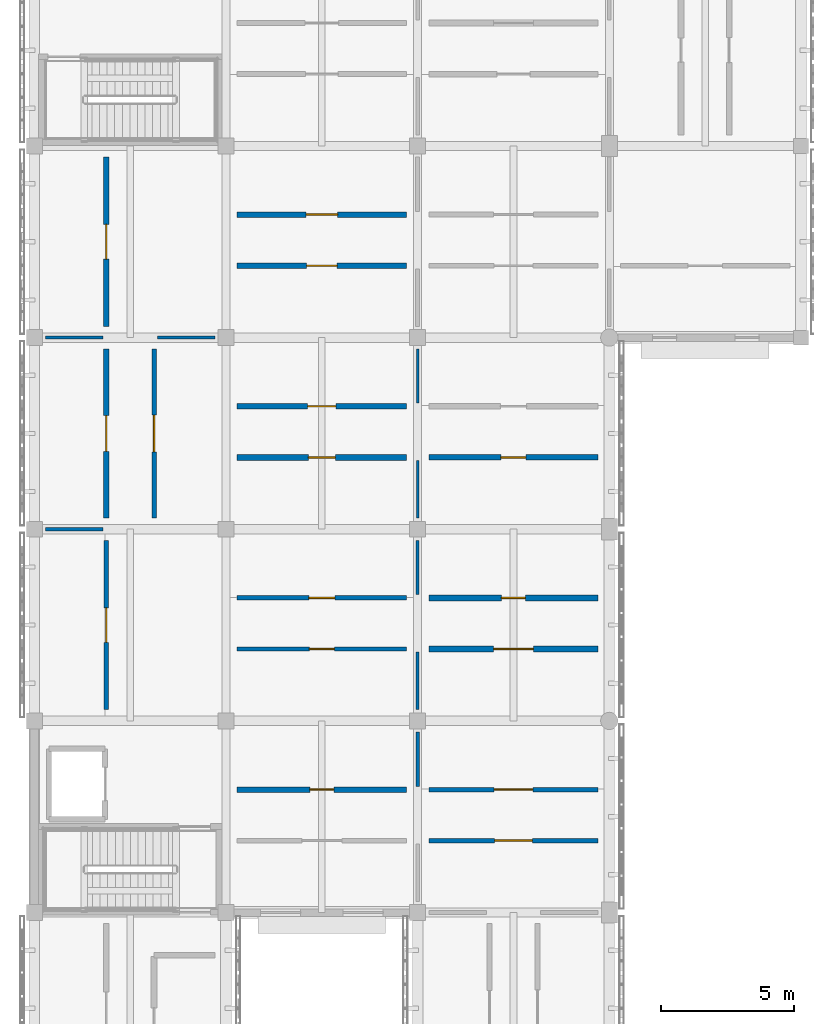
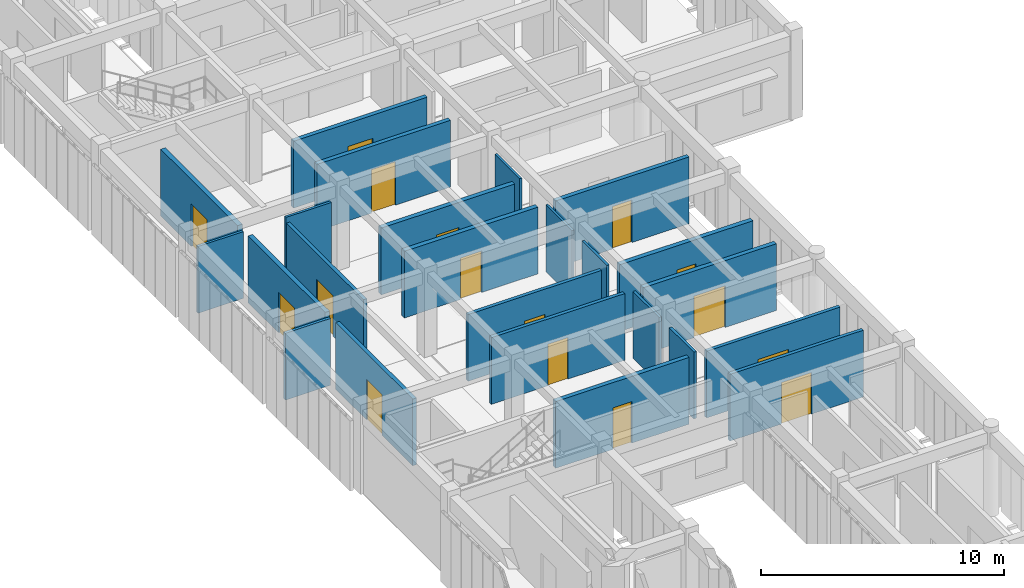
# One storey, part 121 of 171: 24 walls, 16 doors, 16 openings.
"""IFC4 building model written with IfcOpenShell, lengths in metres."""

from ifc_helpers import new_model, si_unit, direction, frame, frame_2d, origin, place, context, subcontext, project, spatial, rectangle, extrude, material, layer, layer_set, type_object, element, fill, save


model = new_model("IFC4")

# Units and contexts
model_context = context("Model", 3, precision=1e-05, world=origin(), true_north=direction((0.0, 1.0)))
body_context = subcontext(model_context, "Body", "Model", "MODEL_VIEW")
ifc_project = project(units=[si_unit("LENGTHUNIT", "METRE"), si_unit("AREAUNIT", "SQUARE_METRE"), si_unit("VOLUMEUNIT", "CUBIC_METRE"), si_unit("PLANEANGLEUNIT", "RADIAN"), si_unit("MASSUNIT", "GRAM", prefix="KILO")], contexts=[model_context])

# Site, building, storey
site_placement = place(None, origin())
site = spatial("IfcSite", under=ifc_project, at=site_placement, CompositionType="ELEMENT")
building_placement = place(site_placement, origin())
building = spatial("IfcBuilding", under=site, at=building_placement, Name="Aldebral Square Health Centre", CompositionType="ELEMENT")
storey_placement = place(building_placement, frame((0.0, 0.0, 4.5)))
storey = spatial("IfcBuildingStorey", under=building, at=storey_placement, Name="L01", CompositionType="ELEMENT", Elevation=4.5)

# Wall, opening, door
ifc_material_1 = material(Name="Concrete C35/45 compartment wall", Category="concrete")
ifc_layer_1 = layer(ifc_material_1, 0.199951171875, Name="Concrete C35/45 compartment wall", Category="concrete")
ifc_layer_set_1 = layer_set([ifc_layer_1], Name="Concrete C35/45 compartment wall")
wall_type_1 = type_object("IfcWallType", Name="IW-CMP-200", PredefinedType="SOLIDWALL", material=ifc_layer_set_1)
wall_1_placement = place(storey_placement, frame((7.6201171875, 53.10009765625, 0.0), z_axis=(0.0, 0.0, 1.0), x_axis=(1.0, 0.0, 0.0)))
wall_1 = element("IfcWall", 1, at=wall_1_placement, inside=storey, type_object=wall_type_1, Name="L01 General Consulting Room 2.8S corridor wall", PredefinedType="SOLIDWALL", context=body_context, shape_type="SweptSolid", body=[
    extrude(rectangle(XDim=6.35986328125, YDim=0.199951171875, at=frame_2d((3.179931640625, 0.0))), origin(), (0.0, 0.0, 1.0), 3.360107421875),
])
opening_1_placement = place(wall_1_placement, frame((2.610107421875, 0.0, 0.0)))
opening_1 = element("IfcOpeningElement", 2, at=opening_1_placement, cuts=wall_1, Name="Opening D-0276", PredefinedType="OPENING", context=body_context, shape_type="SweptSolid", body=[
    extrude(rectangle(XDim=1.139892578125, YDim=2.18994140625, at=frame_2d((0.56982421875, 1.094970703125))), frame((0.0, 0.10986328125, 0.0), z_axis=(0.0, -1.0, 0.0), x_axis=(1.0, 0.0, 0.0)), (0.0, 0.0, 1.0), 0.219970703125),
])
ifc_material_2 = material(Name="Clinical suite fire door")
door_type_1 = type_object("IfcDoorType", Name="ID-EXD-54", OperationType="NOTDEFINED", PredefinedType="DOOR", material=ifc_material_2)
door_1_placement = place(opening_1_placement, origin())
door_1 = element("IfcDoor", 3, at=door_1_placement, inside=storey, type_object=door_type_1, Name="L01 General Consulting Room 2.8S door", OperationType="SINGLE_SWING_LEFT", OverallHeight=2.18994140625, OverallWidth=1.139892578125, PredefinedType="DOOR", context=body_context, shape_type="SweptSolid", body=[
    extrude(rectangle(XDim=1.139892578125, YDim=2.18994140625, at=frame_2d((0.56982421875, 1.094970703125))), frame((0.0, 0.02490234375, 0.0), z_axis=(0.0, -1.0, 0.0), x_axis=(1.0, 0.0, 0.0)), (0.0, 0.0, 1.0), 0.050048828125),
])
fill(opening_1, door_1)

wall_2_placement = place(storey_placement, frame((7.6201171875, 55.02001953125, 0.0), z_axis=(0.0, 0.0, 1.0), x_axis=(1.0, 0.0, 0.0)))
wall_2 = element("IfcWall", 4, at=wall_2_placement, inside=storey, type_object=wall_type_1, Name="L01 Internal Medicine Clinic 2.8N corridor wall", PredefinedType="SOLIDWALL", context=body_context, shape_type="SweptSolid", body=[
    extrude(rectangle(XDim=6.35986328125, YDim=0.199951171875, at=frame_2d((3.179931640625, 0.0))), origin(), (0.0, 0.0, 1.0), 3.360107421875),
])
opening_2_placement = place(wall_2_placement, frame((2.590087890625, 0.0, 0.0)))
opening_2 = element("IfcOpeningElement", 5, at=opening_2_placement, cuts=wall_2, Name="Opening D-0277", PredefinedType="OPENING", context=body_context, shape_type="SweptSolid", body=[
    extrude(rectangle(XDim=1.179931640625, YDim=2.18994140625, at=frame_2d((0.58984375, 1.094970703125))), frame((0.0, 0.10986328125, 0.0), z_axis=(0.0, -1.0, 0.0), x_axis=(1.0, 0.0, 0.0)), (0.0, 0.0, 1.0), 0.219970703125),
])
door_type_2 = type_object("IfcDoorType", Name="ID-EXD-55", OperationType="NOTDEFINED", PredefinedType="DOOR", material=ifc_material_2)
door_2_placement = place(opening_2_placement, origin())
door_2 = element("IfcDoor", 6, at=door_2_placement, inside=storey, type_object=door_type_2, Name="L01 Internal Medicine Clinic 2.8N door", OperationType="SINGLE_SWING_RIGHT", OverallHeight=2.18994140625, OverallWidth=1.179931640625, PredefinedType="DOOR", context=body_context, shape_type="SweptSolid", body=[
    extrude(rectangle(XDim=1.179931640625, YDim=2.18994140625, at=frame_2d((0.58984375, 1.094970703125))), frame((0.0, 0.02490234375, 0.0), z_axis=(0.0, -1.0, 0.0), x_axis=(1.0, 0.0, 0.0)), (0.0, 0.0, 1.0), 0.050048828125),
])
fill(opening_2, door_2)

wall_3_placement = place(storey_placement, frame((14.820068359375, 45.89990234375, 0.0), z_axis=(0.0, 0.0, 1.0), x_axis=(1.0, 0.0, 0.0)))
wall_3 = element("IfcWall", 7, at=wall_3_placement, inside=storey, type_object=wall_type_1, Name="L01 Health Education Seminar 3.7S corridor wall", PredefinedType="SOLIDWALL", context=body_context, shape_type="SweptSolid", body=[
    extrude(rectangle(XDim=6.35986328125, YDim=0.199951171875, at=frame_2d((3.179931640625, 0.0))), origin(), (0.0, 0.0, 1.0), 3.360107421875),
])
opening_3_placement = place(wall_3_placement, frame((2.7099609375, 0.0, 0.0)))
opening_3 = element("IfcOpeningElement", 8, at=opening_3_placement, cuts=wall_3, Name="Opening D-0393", PredefinedType="OPENING", context=body_context, shape_type="SweptSolid", body=[
    extrude(rectangle(XDim=0.93994140625, YDim=2.139892578125, at=frame_2d((0.469970703125, 1.06982421875))), frame((0.0, 0.10986328125, 0.0), z_axis=(0.0, -1.0, 0.0), x_axis=(1.0, 0.0, 0.0)), (0.0, 0.0, 1.0), 0.219970703125),
])
door_type_3 = type_object("IfcDoorType", Name="ID-EXD-33", OperationType="NOTDEFINED", PredefinedType="DOOR", material=ifc_material_2)
door_3_placement = place(opening_3_placement, origin())
door_3 = element("IfcDoor", 9, at=door_3_placement, inside=storey, type_object=door_type_3, Name="L01 Health Education Seminar 3.7S door", OperationType="SINGLE_SWING_RIGHT", OverallHeight=2.139892578125, OverallWidth=0.93994140625, PredefinedType="DOOR", context=body_context, shape_type="SweptSolid", body=[
    extrude(rectangle(XDim=0.93994140625, YDim=2.139892578125, at=frame_2d((0.469970703125, 1.06982421875))), frame((0.0, 0.02490234375, 0.0), z_axis=(0.0, -1.0, 0.0), x_axis=(1.0, 0.0, 0.0)), (0.0, 0.0, 1.0), 0.050048828125),
])
fill(opening_3, door_3)

ifc_layer_2 = layer(ifc_material_1, 0.219970703125, Name="Concrete C35/45 compartment wall", Category="concrete")
ifc_layer_set_2 = layer_set([ifc_layer_2], Name="Concrete C35/45 compartment wall")
wall_type_2 = type_object("IfcWallType", Name="IW-CMP-220", PredefinedType="SOLIDWALL", material=ifc_layer_set_2)
wall_4_placement = place(storey_placement, frame((2.699951171875, 50.820068359375, 0.0), z_axis=(0.0, 0.0, 1.0), x_axis=(0.0, 1.0, 0.0)))
wall_4 = element("IfcWall", 10, at=wall_4_placement, inside=storey, type_object=wall_type_2, Name="L01 General Consulting Room 1.8W corridor wall", PredefinedType="SOLIDWALL", context=body_context, shape_type="SweptSolid", body=[
    extrude(rectangle(XDim=6.35986328125, YDim=0.219970703125, at=frame_2d((3.179931640625, 0.0))), origin(), (0.0, 0.0, 1.0), 3.360107421875),
])
opening_4_placement = place(wall_4_placement, frame((2.530029296875, 0.0, 0.0)))
opening_4 = element("IfcOpeningElement", 11, at=opening_4_placement, cuts=wall_4, Name="Opening D-0264", PredefinedType="OPENING", context=body_context, shape_type="SweptSolid", body=[
    extrude(rectangle(XDim=1.300048828125, YDim=2.139892578125, at=frame_2d((0.64990234375, 1.06982421875))), frame((0.0, 0.1201171875, 0.0), z_axis=(0.0, -1.0, 0.0), x_axis=(1.0, 0.0, 0.0)), (0.0, 0.0, 1.0), 0.239990234375),
])
door_type_4 = type_object("IfcDoorType", Name="ID-EXD-42", OperationType="NOTDEFINED", PredefinedType="DOOR", material=ifc_material_2)
door_4_placement = place(opening_4_placement, origin())
door_4 = element("IfcDoor", 12, at=door_4_placement, inside=storey, type_object=door_type_4, Name="L01 General Consulting Room 1.8W door", OperationType="SINGLE_SWING_LEFT", OverallHeight=2.139892578125, OverallWidth=1.300048828125, PredefinedType="DOOR", context=body_context, shape_type="SweptSolid", body=[
    extrude(rectangle(XDim=1.300048828125, YDim=2.139892578125, at=frame_2d((0.64990234375, 1.06982421875))), frame((0.0, 0.02490234375, 0.0), z_axis=(0.0, -1.0, 0.0), x_axis=(1.0, 0.0, 0.0)), (0.0, 0.0, 1.0), 0.050048828125),
])
fill(opening_4, door_4)

wall_5_placement = place(storey_placement, frame((7.6201171875, 45.89990234375, 0.0), z_axis=(0.0, 0.0, 1.0), x_axis=(1.0, 0.0, 0.0)))
wall_5 = element("IfcWall", 13, at=wall_5_placement, inside=storey, type_object=wall_type_2, Name="L01 Nutrition Studio 2.7S corridor wall", PredefinedType="SOLIDWALL", context=body_context, shape_type="SweptSolid", body=[
    extrude(rectangle(XDim=6.35986328125, YDim=0.219970703125, at=frame_2d((3.179931640625, 0.0))), origin(), (0.0, 0.0, 1.0), 3.360107421875),
])
opening_5_placement = place(wall_5_placement, frame((2.669921875, 0.0, 0.0)))
opening_5 = element("IfcOpeningElement", 14, at=opening_5_placement, cuts=wall_5, Name="Opening D-0379", PredefinedType="OPENING", context=body_context, shape_type="SweptSolid", body=[
    extrude(rectangle(XDim=1.02001953125, YDim=2.090087890625, at=frame_2d((0.510009765625, 1.044921875))), frame((0.0, 0.1201171875, 0.0), z_axis=(0.0, -1.0, 0.0), x_axis=(1.0, 0.0, 0.0)), (0.0, 0.0, 1.0), 0.239990234375),
])
door_type_5 = type_object("IfcDoorType", Name="ID-EXD-19", OperationType="NOTDEFINED", PredefinedType="DOOR", material=ifc_material_2)
door_5_placement = place(opening_5_placement, origin())
door_5 = element("IfcDoor", 15, at=door_5_placement, inside=storey, type_object=door_type_5, Name="L01 Nutrition Studio 2.7S door", OperationType="SINGLE_SWING_RIGHT", OverallHeight=2.090087890625, OverallWidth=1.02001953125, PredefinedType="DOOR", context=body_context, shape_type="SweptSolid", body=[
    extrude(rectangle(XDim=1.02001953125, YDim=2.090087890625, at=frame_2d((0.510009765625, 1.044921875))), frame((0.0, 0.02490234375, 0.0), z_axis=(0.0, -1.0, 0.0), x_axis=(1.0, 0.0, 0.0)), (0.0, 0.0, 1.0), 0.050048828125),
])
fill(opening_5, door_5)

wall_6_placement = place(storey_placement, frame((7.6201171875, 47.820068359375, 0.0), z_axis=(0.0, 0.0, 1.0), x_axis=(1.0, 0.0, 0.0)))
wall_6 = element("IfcWall", 16, at=wall_6_placement, inside=storey, type_object=wall_type_2, Name="L01 Community Health Library 2.7N corridor wall", PredefinedType="SOLIDWALL", context=body_context, shape_type="SweptSolid", body=[
    extrude(rectangle(XDim=6.35986328125, YDim=0.219970703125, at=frame_2d((3.179931640625, 0.0))), origin(), (0.0, 0.0, 1.0), 3.360107421875),
])
opening_6_placement = place(wall_6_placement, frame((2.64990234375, 0.0, 0.0)))
opening_6 = element("IfcOpeningElement", 17, at=opening_6_placement, cuts=wall_6, Name="Opening D-0380", PredefinedType="OPENING", context=body_context, shape_type="SweptSolid", body=[
    extrude(rectangle(XDim=1.06005859375, YDim=2.090087890625, at=frame_2d((0.530029296875, 1.044921875))), frame((0.0, 0.1201171875, 0.0), z_axis=(0.0, -1.0, 0.0), x_axis=(1.0, 0.0, 0.0)), (0.0, 0.0, 1.0), 0.239990234375),
])
door_type_6 = type_object("IfcDoorType", Name="ID-EXD-20", OperationType="NOTDEFINED", PredefinedType="DOOR", material=ifc_material_2)
door_6_placement = place(opening_6_placement, origin())
door_6 = element("IfcDoor", 18, at=door_6_placement, inside=storey, type_object=door_type_6, Name="L01 Community Health Library 2.7N door", OperationType="SINGLE_SWING_LEFT", OverallHeight=2.090087890625, OverallWidth=1.06005859375, PredefinedType="DOOR", context=body_context, shape_type="SweptSolid", body=[
    extrude(rectangle(XDim=1.06005859375, YDim=2.090087890625, at=frame_2d((0.530029296875, 1.044921875))), frame((0.0, 0.02490234375, 0.0), z_axis=(0.0, -1.0, 0.0), x_axis=(1.0, 0.0, 0.0)), (0.0, 0.0, 1.0), 0.050048828125),
])
fill(opening_6, door_6)

wall_7_placement = place(storey_placement, frame((14.820068359375, 40.6201171875, 0.0), z_axis=(0.0, 0.0, 1.0), x_axis=(1.0, 0.0, 0.0)))
wall_7 = element("IfcWall", 19, at=wall_7_placement, inside=storey, type_object=wall_type_2, Name="L01 Community Room 3.6N corridor wall", PredefinedType="SOLIDWALL", context=body_context, shape_type="SweptSolid", body=[
    extrude(rectangle(XDim=6.35986328125, YDim=0.219970703125, at=frame_2d((3.179931640625, 0.0))), origin(), (0.0, 0.0, 1.0), 3.360107421875),
])
opening_7_placement = place(wall_7_placement, frame((2.72998046875, 0.0, 0.0)))
opening_7 = element("IfcOpeningElement", 20, at=opening_7_placement, cuts=wall_7, Name="Opening D-0392", PredefinedType="OPENING", context=body_context, shape_type="SweptSolid", body=[
    extrude(rectangle(XDim=0.89990234375, YDim=2.139892578125, at=frame_2d((0.449951171875, 1.06982421875))), frame((0.0, 0.1201171875, 0.0), z_axis=(0.0, -1.0, 0.0), x_axis=(1.0, 0.0, 0.0)), (0.0, 0.0, 1.0), 0.239990234375),
])
door_type_7 = type_object("IfcDoorType", Name="ID-EXD-32", OperationType="NOTDEFINED", PredefinedType="DOOR", material=ifc_material_2)
door_7_placement = place(opening_7_placement, origin())
door_7 = element("IfcDoor", 21, at=door_7_placement, inside=storey, type_object=door_type_7, Name="L01 Community Room 3.6N door", OperationType="SINGLE_SWING_LEFT", OverallHeight=2.139892578125, OverallWidth=0.89990234375, PredefinedType="DOOR", context=body_context, shape_type="SweptSolid", body=[
    extrude(rectangle(XDim=0.89990234375, YDim=2.139892578125, at=frame_2d((0.449951171875, 1.06982421875))), frame((0.0, 0.02490234375, 0.0), z_axis=(0.0, -1.0, 0.0), x_axis=(1.0, 0.0, 0.0)), (0.0, 0.0, 1.0), 0.050048828125),
])
fill(opening_7, door_7)

ifc_material_3 = material(Name="Fire-rated acoustic gypsum partition")
ifc_layer_3 = layer(ifc_material_3, 0.1650390625, Name="Fire-rated acoustic gypsum partition")
ifc_layer_set_3 = layer_set([ifc_layer_3], Name="Fire-rated acoustic gypsum partition")
wall_type_3 = type_object("IfcWallType", Name="IW-COR-165", PredefinedType="PARTITIONING", material=ifc_layer_set_3)
wall_8_placement = place(storey_placement, frame((4.5, 43.6201171875, 0.0), z_axis=(0.0, 0.0, 1.0), x_axis=(0.0, 1.0, 0.0)))
wall_8 = element("IfcWall", 22, at=wall_8_placement, inside=storey, type_object=wall_type_3, Name="L01 Community Room 1.7E corridor wall", PredefinedType="PARTITIONING", context=body_context, shape_type="SweptSolid", body=[
    extrude(rectangle(XDim=6.35986328125, YDim=0.1650390625, at=frame_2d((3.179931640625, 0.0))), origin(), (0.0, 0.0, 1.0), 3.360107421875),
])
opening_8_placement = place(wall_8_placement, frame((2.489990234375, 0.0, 0.0)))
opening_8 = element("IfcOpeningElement", 23, at=opening_8_placement, cuts=wall_8, Name="Opening D-0372", PredefinedType="OPENING", context=body_context, shape_type="SweptSolid", body=[
    extrude(rectangle(XDim=1.3798828125, YDim=2.0400390625, at=frame_2d((0.68994140625, 1.02001953125))), frame((0.0, 0.092529296875, 0.0), z_axis=(0.0, -1.0, 0.0), x_axis=(1.0, 0.0, 0.0)), (0.0, 0.0, 1.0), 0.18505859375),
])
door_type_8 = type_object("IfcDoorType", Name="ID-EXD-12", OperationType="NOTDEFINED", PredefinedType="DOOR", material=ifc_material_2)
door_8_placement = place(opening_8_placement, origin())
door_8 = element("IfcDoor", 24, at=door_8_placement, inside=storey, type_object=door_type_8, Name="L01 Community Room 1.7E door", OperationType="SINGLE_SWING_LEFT", OverallHeight=2.0400390625, OverallWidth=1.3798828125, PredefinedType="DOOR", context=body_context, shape_type="SweptSolid", body=[
    extrude(rectangle(XDim=1.3798828125, YDim=2.0400390625, at=frame_2d((0.68994140625, 1.02001953125))), frame((0.0, 0.02490234375, 0.0), z_axis=(0.0, -1.0, 0.0), x_axis=(1.0, 0.0, 0.0)), (0.0, 0.0, 1.0), 0.050048828125),
])
fill(opening_8, door_8)

wall_9_placement = place(storey_placement, frame((7.6201171875, 38.699951171875, 0.0), z_axis=(0.0, 0.0, 1.0), x_axis=(1.0, 0.0, 0.0)))
wall_9 = element("IfcWall", 25, at=wall_9_placement, inside=storey, type_object=wall_type_3, Name="L01 Community Room 2.6S corridor wall", PredefinedType="PARTITIONING", context=body_context, shape_type="SweptSolid", body=[
    extrude(rectangle(XDim=6.35986328125, YDim=0.1650390625, at=frame_2d((3.179931640625, 0.0))), origin(), (0.0, 0.0, 1.0), 3.360107421875),
])
opening_9_placement = place(wall_9_placement, frame((2.7099609375, 0.0, 0.0)))
opening_9 = element("IfcOpeningElement", 26, at=opening_9_placement, cuts=wall_9, Name="Opening D-0377", PredefinedType="OPENING", context=body_context, shape_type="SweptSolid", body=[
    extrude(rectangle(XDim=0.93994140625, YDim=2.090087890625, at=frame_2d((0.469970703125, 1.044921875))), frame((0.0, 0.092529296875, 0.0), z_axis=(0.0, -1.0, 0.0), x_axis=(1.0, 0.0, 0.0)), (0.0, 0.0, 1.0), 0.18505859375),
])
door_type_9 = type_object("IfcDoorType", Name="ID-EXD-17", OperationType="NOTDEFINED", PredefinedType="DOOR", material=ifc_material_2)
door_9_placement = place(opening_9_placement, origin())
door_9 = element("IfcDoor", 27, at=door_9_placement, inside=storey, type_object=door_type_9, Name="L01 Community Room 2.6S door", OperationType="SINGLE_SWING_RIGHT", OverallHeight=2.090087890625, OverallWidth=0.93994140625, PredefinedType="DOOR", context=body_context, shape_type="SweptSolid", body=[
    extrude(rectangle(XDim=0.93994140625, YDim=2.090087890625, at=frame_2d((0.469970703125, 1.044921875))), frame((0.0, 0.02490234375, 0.0), z_axis=(0.0, -1.0, 0.0), x_axis=(1.0, 0.0, 0.0)), (0.0, 0.0, 1.0), 0.050048828125),
])
fill(opening_9, door_9)

wall_10_placement = place(storey_placement, frame((7.6201171875, 40.6201171875, 0.0), z_axis=(0.0, 0.0, 1.0), x_axis=(1.0, 0.0, 0.0)))
wall_10 = element("IfcWall", 28, at=wall_10_placement, inside=storey, type_object=wall_type_3, Name="L01 Health Education Seminar 2.6N corridor wall", PredefinedType="PARTITIONING", context=body_context, shape_type="SweptSolid", body=[
    extrude(rectangle(XDim=6.35986328125, YDim=0.1650390625, at=frame_2d((3.179931640625, 0.0))), origin(), (0.0, 0.0, 1.0), 3.360107421875),
])
opening_10_placement = place(wall_10_placement, frame((2.68994140625, 0.0, 0.0)))
opening_10 = element("IfcOpeningElement", 29, at=opening_10_placement, cuts=wall_10, Name="Opening D-0378", PredefinedType="OPENING", context=body_context, shape_type="SweptSolid", body=[
    extrude(rectangle(XDim=0.97998046875, YDim=2.090087890625, at=frame_2d((0.489990234375, 1.044921875))), frame((0.0, 0.092529296875, 0.0), z_axis=(0.0, -1.0, 0.0), x_axis=(1.0, 0.0, 0.0)), (0.0, 0.0, 1.0), 0.18505859375),
])
door_type_10 = type_object("IfcDoorType", Name="ID-EXD-18", OperationType="NOTDEFINED", PredefinedType="DOOR", material=ifc_material_2)
door_10_placement = place(opening_10_placement, origin())
door_10 = element("IfcDoor", 30, at=door_10_placement, inside=storey, type_object=door_type_10, Name="L01 Health Education Seminar 2.6N door", OperationType="SINGLE_SWING_LEFT", OverallHeight=2.090087890625, OverallWidth=0.97998046875, PredefinedType="DOOR", context=body_context, shape_type="SweptSolid", body=[
    extrude(rectangle(XDim=0.97998046875, YDim=2.090087890625, at=frame_2d((0.489990234375, 1.044921875))), frame((0.0, 0.02490234375, 0.0), z_axis=(0.0, -1.0, 0.0), x_axis=(1.0, 0.0, 0.0)), (0.0, 0.0, 1.0), 0.050048828125),
])
fill(opening_10, door_10)

wall_11_placement = place(storey_placement, frame((14.820068359375, 31.5, 0.0), z_axis=(0.0, 0.0, 1.0), x_axis=(1.0, 0.0, 0.0)))
wall_11 = element("IfcWall", 31, at=wall_11_placement, inside=storey, type_object=wall_type_3, Name="L01 Nutrition Studio 3.5S corridor wall", PredefinedType="PARTITIONING", context=body_context, shape_type="SweptSolid", body=[
    extrude(rectangle(XDim=6.35986328125, YDim=0.1650390625, at=frame_2d((3.179931640625, 0.0))), origin(), (0.0, 0.0, 1.0), 3.360107421875),
])
opening_11_placement = place(wall_11_placement, frame((2.469970703125, 0.0, 0.0)))
opening_11 = element("IfcOpeningElement", 32, at=opening_11_placement, cuts=wall_11, Name="Opening D-0389", PredefinedType="OPENING", context=body_context, shape_type="SweptSolid", body=[
    extrude(rectangle(XDim=1.419921875, YDim=2.090087890625, at=frame_2d((0.7099609375, 1.044921875))), frame((0.0, 0.092529296875, 0.0), z_axis=(0.0, -1.0, 0.0), x_axis=(1.0, 0.0, 0.0)), (0.0, 0.0, 1.0), 0.18505859375),
])
door_type_11 = type_object("IfcDoorType", Name="ID-EXD-29", OperationType="NOTDEFINED", PredefinedType="DOOR", material=ifc_material_2)
door_11_placement = place(opening_11_placement, origin())
door_11 = element("IfcDoor", 33, at=door_11_placement, inside=storey, type_object=door_type_11, Name="L01 Nutrition Studio 3.5S door", OperationType="SINGLE_SWING_RIGHT", OverallHeight=2.090087890625, OverallWidth=1.419921875, PredefinedType="DOOR", context=body_context, shape_type="SweptSolid", body=[
    extrude(rectangle(XDim=1.419921875, YDim=2.090087890625, at=frame_2d((0.7099609375, 1.044921875))), frame((0.0, 0.02490234375, 0.0), z_axis=(0.0, -1.0, 0.0), x_axis=(1.0, 0.0, 0.0)), (0.0, 0.0, 1.0), 0.050048828125),
])
fill(opening_11, door_11)

wall_12_placement = place(storey_placement, frame((14.820068359375, 33.419921875, 0.0), z_axis=(0.0, 0.0, 1.0), x_axis=(1.0, 0.0, 0.0)))
wall_12 = element("IfcWall", 34, at=wall_12_placement, inside=storey, type_object=wall_type_3, Name="L01 Community Health Library 3.5N corridor wall", PredefinedType="PARTITIONING", context=body_context, shape_type="SweptSolid", body=[
    extrude(rectangle(XDim=6.35986328125, YDim=0.1650390625, at=frame_2d((3.179931640625, 0.0))), origin(), (0.0, 0.0, 1.0), 3.360107421875),
])
opening_12_placement = place(wall_12_placement, frame((2.449951171875, 0.0, 0.0)))
opening_12 = element("IfcOpeningElement", 35, at=opening_12_placement, cuts=wall_12, Name="Opening D-0390", PredefinedType="OPENING", context=body_context, shape_type="SweptSolid", body=[
    extrude(rectangle(XDim=1.4599609375, YDim=2.090087890625, at=frame_2d((0.72998046875, 1.044921875))), frame((0.0, 0.092529296875, 0.0), z_axis=(0.0, -1.0, 0.0), x_axis=(1.0, 0.0, 0.0)), (0.0, 0.0, 1.0), 0.18505859375),
])
door_type_12 = type_object("IfcDoorType", Name="ID-EXD-30", OperationType="NOTDEFINED", PredefinedType="DOOR", material=ifc_material_2)
door_12_placement = place(opening_12_placement, origin())
door_12 = element("IfcDoor", 36, at=door_12_placement, inside=storey, type_object=door_type_12, Name="L01 Community Health Library 3.5N door", OperationType="SINGLE_SWING_LEFT", OverallHeight=2.090087890625, OverallWidth=1.4599609375, PredefinedType="DOOR", context=body_context, shape_type="SweptSolid", body=[
    extrude(rectangle(XDim=1.4599609375, YDim=2.090087890625, at=frame_2d((0.72998046875, 1.044921875))), frame((0.0, 0.02490234375, 0.0), z_axis=(0.0, -1.0, 0.0), x_axis=(1.0, 0.0, 0.0)), (0.0, 0.0, 1.0), 0.050048828125),
])
fill(opening_12, door_12)

ifc_layer_4 = layer(ifc_material_3, 0.179931640625, Name="Fire-rated acoustic gypsum partition")
ifc_layer_set_4 = layer_set([ifc_layer_4], Name="Fire-rated acoustic gypsum partition")
wall_type_4 = type_object("IfcWallType", Name="IW-COR-180", PredefinedType="PARTITIONING", material=ifc_layer_set_4)
wall_13_placement = place(storey_placement, frame((2.699951171875, 36.419921875, 0.0), z_axis=(0.0, 0.0, 1.0), x_axis=(0.0, 1.0, 0.0)))
wall_13 = element("IfcWall", 37, at=wall_13_placement, inside=storey, type_object=wall_type_4, Name="L01 Community Health Library 1.6W corridor wall", PredefinedType="PARTITIONING", context=body_context, shape_type="SweptSolid", body=[
    extrude(rectangle(XDim=6.360107421875, YDim=0.179931640625, at=frame_2d((3.18017578125, 0.0))), origin(), (0.0, 0.0, 1.0), 3.360107421875),
])
opening_13_placement = place(wall_13_placement, frame((2.530029296875, 0.0, 0.0)))
opening_13 = element("IfcOpeningElement", 38, at=opening_13_placement, cuts=wall_13, Name="Opening D-0370", PredefinedType="OPENING", context=body_context, shape_type="SweptSolid", body=[
    extrude(rectangle(XDim=1.300048828125, YDim=2.0400390625, at=frame_2d((0.64990234375, 1.02001953125))), frame((0.0, 0.10009765625, 0.0), z_axis=(0.0, -1.0, 0.0), x_axis=(1.0, 0.0, 0.0)), (0.0, 0.0, 1.0), 0.199951171875),
])
door_type_13 = type_object("IfcDoorType", Name="ID-EXD-10", OperationType="NOTDEFINED", PredefinedType="DOOR", material=ifc_material_2)
door_13_placement = place(opening_13_placement, origin())
door_13 = element("IfcDoor", 39, at=door_13_placement, inside=storey, type_object=door_type_13, Name="L01 Community Health Library 1.6W door", OperationType="SINGLE_SWING_LEFT", OverallHeight=2.0400390625, OverallWidth=1.300048828125, PredefinedType="DOOR", context=body_context, shape_type="SweptSolid", body=[
    extrude(rectangle(XDim=1.300048828125, YDim=2.0400390625, at=frame_2d((0.64990234375, 1.02001953125))), frame((0.0, 0.02490234375, 0.0), z_axis=(0.0, -1.0, 0.0), x_axis=(1.0, 0.0, 0.0)), (0.0, 0.0, 1.0), 0.050048828125),
])
fill(opening_13, door_13)

ifc_material_4 = material(Name="Moisture-resistant sanitary chase wall")
ifc_layer_5 = layer(ifc_material_4, 0.2099609375, Name="Moisture-resistant sanitary chase wall")
ifc_layer_set_5 = layer_set([ifc_layer_5], Name="Moisture-resistant sanitary chase wall")
wall_type_5 = type_object("IfcWallType", Name="IW-PLB-210", PredefinedType="PLUMBINGWALL", material=ifc_layer_set_5)
wall_14_placement = place(storey_placement, frame((2.699951171875, 43.6201171875, 0.0), z_axis=(0.0, 0.0, 1.0), x_axis=(0.0, 1.0, 0.0)))
wall_14 = element("IfcWall", 40, at=wall_14_placement, inside=storey, type_object=wall_type_5, Name="L01 Accessible WC 1.7W corridor wall", PredefinedType="PLUMBINGWALL", context=body_context, shape_type="SweptSolid", body=[
    extrude(rectangle(XDim=6.35986328125, YDim=0.2099609375, at=frame_2d((3.179931640625, 0.0))), origin(), (0.0, 0.0, 1.0), 3.360107421875),
])
opening_14_placement = place(wall_14_placement, frame((2.510009765625, 0.0, 0.0)))
opening_14 = element("IfcOpeningElement", 41, at=opening_14_placement, cuts=wall_14, Name="Opening D-0371", PredefinedType="OPENING", context=body_context, shape_type="SweptSolid", body=[
    extrude(rectangle(XDim=1.340087890625, YDim=2.0400390625, at=frame_2d((0.669921875, 1.02001953125))), frame((0.0, 0.114990234375, 0.0), z_axis=(0.0, -1.0, 0.0), x_axis=(1.0, 0.0, 0.0)), (0.0, 0.0, 1.0), 0.22998046875),
])
door_type_14 = type_object("IfcDoorType", Name="ID-EXD-11", OperationType="NOTDEFINED", PredefinedType="DOOR", material=ifc_material_2)
door_14_placement = place(opening_14_placement, origin())
door_14 = element("IfcDoor", 42, at=door_14_placement, inside=storey, type_object=door_type_14, Name="L01 Accessible WC 1.7W door", OperationType="SINGLE_SWING_RIGHT", OverallHeight=2.0400390625, OverallWidth=1.340087890625, PredefinedType="DOOR", context=body_context, shape_type="SweptSolid", body=[
    extrude(rectangle(XDim=1.340087890625, YDim=2.0400390625, at=frame_2d((0.669921875, 1.02001953125))), frame((0.0, 0.02490234375, 0.0), z_axis=(0.0, -1.0, 0.0), x_axis=(1.0, 0.0, 0.0)), (0.0, 0.0, 1.0), 0.050048828125),
])
fill(opening_14, door_14)

wall_15_placement = place(storey_placement, frame((7.6201171875, 33.419921875, 0.0), z_axis=(0.0, 0.0, 1.0), x_axis=(1.0, 0.0, 0.0)))
wall_15 = element("IfcWall", 43, at=wall_15_placement, inside=storey, type_object=wall_type_5, Name="L01 Accessible WC 2.5N corridor wall", PredefinedType="PLUMBINGWALL", context=body_context, shape_type="SweptSolid", body=[
    extrude(rectangle(XDim=6.35986328125, YDim=0.2099609375, at=frame_2d((3.179931640625, 0.0))), origin(), (0.0, 0.0, 1.0), 3.360107421875),
])
opening_15_placement = place(wall_15_placement, frame((2.72998046875, 0.0, 0.0)))
opening_15 = element("IfcOpeningElement", 44, at=opening_15_placement, cuts=wall_15, Name="Opening D-0376", PredefinedType="OPENING", context=body_context, shape_type="SweptSolid", body=[
    extrude(rectangle(XDim=0.89990234375, YDim=2.090087890625, at=frame_2d((0.449951171875, 1.044921875))), frame((0.0, 0.114990234375, 0.0), z_axis=(0.0, -1.0, 0.0), x_axis=(1.0, 0.0, 0.0)), (0.0, 0.0, 1.0), 0.22998046875),
])
door_type_15 = type_object("IfcDoorType", Name="ID-EXD-16", OperationType="NOTDEFINED", PredefinedType="DOOR", material=ifc_material_2)
door_15_placement = place(opening_15_placement, origin())
door_15 = element("IfcDoor", 45, at=door_15_placement, inside=storey, type_object=door_type_15, Name="L01 Accessible WC 2.5N door", OperationType="SINGLE_SWING_LEFT", OverallHeight=2.090087890625, OverallWidth=0.89990234375, PredefinedType="DOOR", context=body_context, shape_type="SweptSolid", body=[
    extrude(rectangle(XDim=0.89990234375, YDim=2.090087890625, at=frame_2d((0.449951171875, 1.044921875))), frame((0.0, 0.02490234375, 0.0), z_axis=(0.0, -1.0, 0.0), x_axis=(1.0, 0.0, 0.0)), (0.0, 0.0, 1.0), 0.050048828125),
])
fill(opening_15, door_15)

wall_16_placement = place(storey_placement, frame((14.820068359375, 38.699951171875, 0.0), z_axis=(0.0, 0.0, 1.0), x_axis=(1.0, 0.0, 0.0)))
wall_16 = element("IfcWall", 46, at=wall_16_placement, inside=storey, type_object=wall_type_5, Name="L01 Accessible WC 3.6S corridor wall", PredefinedType="PLUMBINGWALL", context=body_context, shape_type="SweptSolid", body=[
    extrude(rectangle(XDim=6.35986328125, YDim=0.2099609375, at=frame_2d((3.179931640625, 0.0))), origin(), (0.0, 0.0, 1.0), 3.360107421875),
])
opening_16_placement = place(wall_16_placement, frame((2.429931640625, 0.0, 0.0)))
opening_16 = element("IfcOpeningElement", 47, at=opening_16_placement, cuts=wall_16, Name="Opening D-0391", PredefinedType="OPENING", context=body_context, shape_type="SweptSolid", body=[
    extrude(rectangle(XDim=1.5, YDim=2.090087890625, at=frame_2d((0.75, 1.044921875))), frame((0.0, 0.114990234375, 0.0), z_axis=(0.0, -1.0, 0.0), x_axis=(1.0, 0.0, 0.0)), (0.0, 0.0, 1.0), 0.22998046875),
])
door_type_16 = type_object("IfcDoorType", Name="ID-EXD-31", OperationType="NOTDEFINED", PredefinedType="DOOR", material=ifc_material_2)
door_16_placement = place(opening_16_placement, origin())
door_16 = element("IfcDoor", 48, at=door_16_placement, inside=storey, type_object=door_type_16, Name="L01 Accessible WC 3.6S door", OperationType="SINGLE_SWING_RIGHT", OverallHeight=2.090087890625, OverallWidth=1.5, PredefinedType="DOOR", context=body_context, shape_type="SweptSolid", body=[
    extrude(rectangle(XDim=1.5, YDim=2.090087890625, at=frame_2d((0.75, 1.044921875))), frame((0.0, 0.02490234375, 0.0), z_axis=(0.0, -1.0, 0.0), x_axis=(1.0, 0.0, 0.0)), (0.0, 0.0, 1.0), 0.050048828125),
])
fill(opening_16, door_16)

# Walls
ifc_material_5 = material(Name="Lightweight clinical partition")
ifc_layer_6 = layer(ifc_material_5, 0.10498046875, Name="Lightweight clinical partition")
ifc_layer_set_6 = layer_set([ifc_layer_6], Name="Lightweight clinical partition")
wall_type_6 = type_object("IfcWallType", Name="IW-PRT-105", PredefinedType="PARTITIONING", material=ifc_layer_set_6)
wall_17_placement = place(storey_placement, frame((14.39990234375, 43.6201171875, 0.0), z_axis=(0.0, 0.0, 1.0), x_axis=(0.0, 1.0, 0.0)))
element("IfcWall", 49, at=wall_17_placement, inside=storey, type_object=wall_type_6, Name="L01 Nutrition Studio 2.7S demising partition", PredefinedType="PARTITIONING", context=body_context, shape_type="SweptSolid", body=[
    extrude(rectangle(XDim=2.159912109375, YDim=0.10498046875, at=frame_2d((1.080078125, 0.0))), origin(), (0.0, 0.0, 1.0), 3.360107421875),
])
wall_18_placement = place(storey_placement, frame((14.39990234375, 47.93994140625, 0.0), z_axis=(0.0, 0.0, 1.0), x_axis=(0.0, 1.0, 0.0)))
element("IfcWall", 50, at=wall_18_placement, inside=storey, type_object=wall_type_6, Name="L01 Community Health Library 2.7N demising partition", PredefinedType="PARTITIONING", context=body_context, shape_type="SweptSolid", body=[
    extrude(rectangle(XDim=2.0400390625, YDim=0.10498046875, at=frame_2d((1.02001953125, 0.0))), origin(), (0.0, 0.0, 1.0), 3.360107421875),
])
ifc_material_6 = material(Name="Acoustic clinical gypsum partition")
ifc_layer_7 = layer(ifc_material_6, 0.1201171875, Name="Acoustic clinical gypsum partition")
ifc_layer_set_7 = layer_set([ifc_layer_7], Name="Acoustic clinical gypsum partition")
wall_type_7 = type_object("IfcWallType", Name="IW-PRT-120", PredefinedType="PARTITIONING", material=ifc_layer_set_7)
wall_19_placement = place(storey_placement, frame((0.419921875, 50.39990234375, 0.0), z_axis=(0.0, 0.0, 1.0), x_axis=(1.0, 0.0, 0.0)))
element("IfcWall", 51, at=wall_19_placement, inside=storey, type_object=wall_type_7, Name="L01 Accessible WC 1.7W demising partition", PredefinedType="PARTITIONING", context=body_context, shape_type="SweptSolid", body=[
    extrude(rectangle(XDim=2.16015625, YDim=0.1201171875, at=frame_2d((1.080078125, 0.0))), origin(), (0.0, 0.0, 1.0), 3.360107421875),
])
wall_20_placement = place(storey_placement, frame((4.6201171875, 50.39990234375, 0.0), z_axis=(0.0, 0.0, 1.0), x_axis=(1.0, 0.0, 0.0)))
element("IfcWall", 52, at=wall_20_placement, inside=storey, type_object=wall_type_7, Name="L01 Community Room 1.7E demising partition", PredefinedType="PARTITIONING", context=body_context, shape_type="SweptSolid", body=[
    extrude(rectangle(XDim=2.159912109375, YDim=0.1201171875, at=frame_2d((1.080078125, 0.0))), origin(), (0.0, 0.0, 1.0), 3.360107421875),
])
wall_21_placement = place(storey_placement, frame((14.39990234375, 36.419921875, 0.0), z_axis=(0.0, 0.0, 1.0), x_axis=(0.0, 1.0, 0.0)))
element("IfcWall", 53, at=wall_21_placement, inside=storey, type_object=wall_type_7, Name="L01 Community Room 2.6S demising partition", PredefinedType="PARTITIONING", context=body_context, shape_type="SweptSolid", body=[
    extrude(rectangle(XDim=2.16015625, YDim=0.1201171875, at=frame_2d((1.080078125, 0.0))), origin(), (0.0, 0.0, 1.0), 3.360107421875),
])
wall_22_placement = place(storey_placement, frame((14.39990234375, 40.739990234375, 0.0), z_axis=(0.0, 0.0, 1.0), x_axis=(0.0, 1.0, 0.0)))
element("IfcWall", 54, at=wall_22_placement, inside=storey, type_object=wall_type_7, Name="L01 Health Education Seminar 2.6N demising partition", PredefinedType="PARTITIONING", context=body_context, shape_type="SweptSolid", body=[
    extrude(rectangle(XDim=2.0400390625, YDim=0.1201171875, at=frame_2d((1.02001953125, 0.0))), origin(), (0.0, 0.0, 1.0), 3.360107421875),
])
ifc_layer_8 = layer(ifc_material_6, 0.135009765625, Name="Acoustic clinical gypsum partition")
ifc_layer_set_8 = layer_set([ifc_layer_8], Name="Acoustic clinical gypsum partition")
wall_type_8 = type_object("IfcWallType", Name="IW-PRT-135", PredefinedType="PARTITIONING", material=ifc_layer_set_8)
wall_23_placement = place(storey_placement, frame((0.419921875, 43.199951171875, 0.0), z_axis=(0.0, 0.0, 1.0), x_axis=(1.0, 0.0, 0.0)))
element("IfcWall", 55, at=wall_23_placement, inside=storey, type_object=wall_type_8, Name="L01 Community Health Library 1.6W demising partition", PredefinedType="PARTITIONING", context=body_context, shape_type="SweptSolid", body=[
    extrude(rectangle(XDim=2.16015625, YDim=0.135009765625, at=frame_2d((1.080078125, 0.0))), origin(), (0.0, 0.0, 1.0), 3.360107421875),
])
wall_24_placement = place(storey_placement, frame((14.39990234375, 33.5400390625, 0.0), z_axis=(0.0, 0.0, 1.0), x_axis=(0.0, 1.0, 0.0)))
element("IfcWall", 56, at=wall_24_placement, inside=storey, type_object=wall_type_8, Name="L01 Accessible WC 2.5N demising partition", PredefinedType="PARTITIONING", context=body_context, shape_type="SweptSolid", body=[
    extrude(rectangle(XDim=2.0400390625, YDim=0.135009765625, at=frame_2d((1.02001953125, 0.0))), origin(), (0.0, 0.0, 1.0), 3.360107421875),
])

save(model, "model.ifc")
